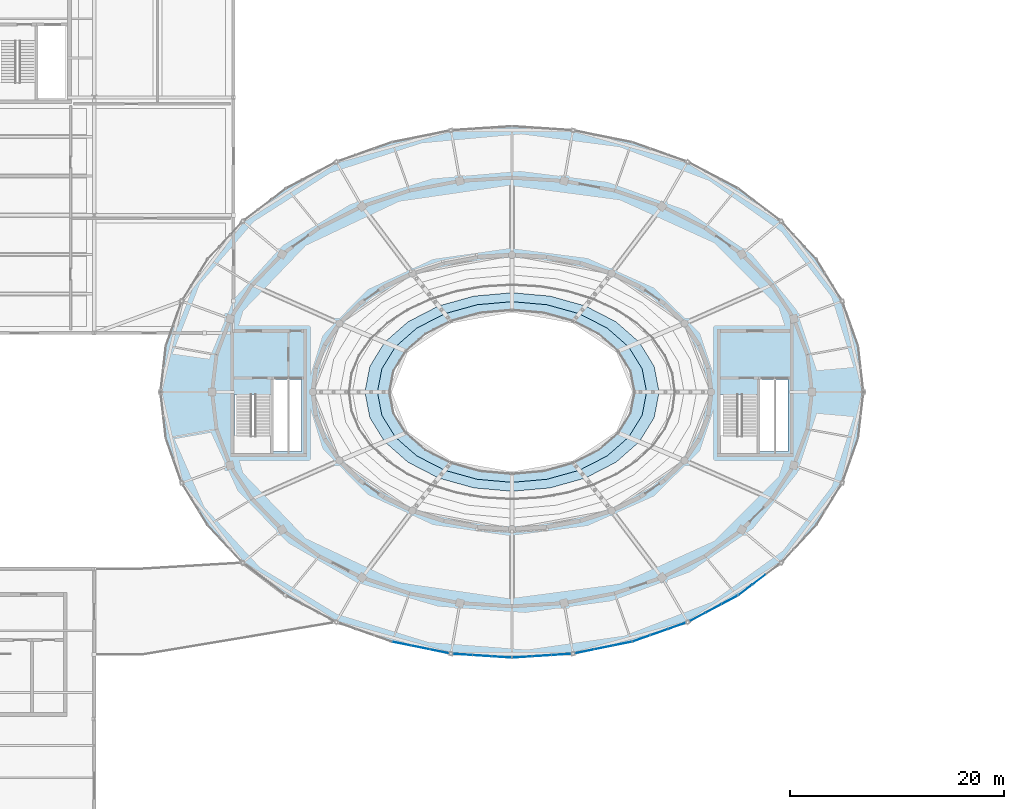
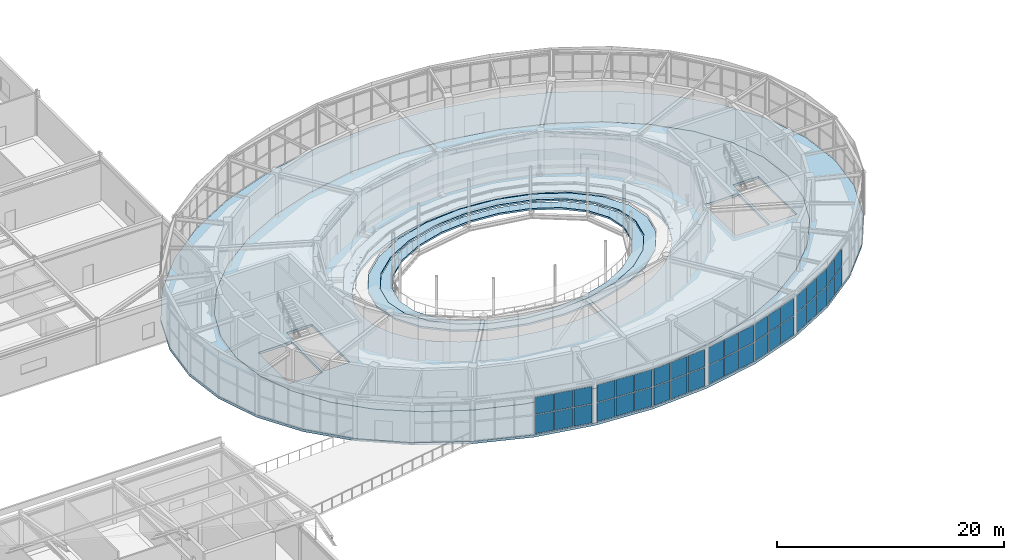
# One storey, part 80 of 108: 40 plates, 4 slabs, 7 elements without a shape of their own.
"""IFC4 building model written with IfcOpenShell, lengths in metres."""

import ifcopenshell
import ifcopenshell.guid

model = None  # the IFC model being written
_history = None  # IfcOwnerHistory: only IFC2X3 demands one
_inside = {}  # id of a spatial element -> (the spatial element, [elements in it])
_under = {}  # id of a project, library or spatial element -> (it, [spatial elements below it])
_declared = {}  # id of a project -> (the project, [libraries it declares])
_typed = {}  # id of a type object -> (the type object, [elements of that type])
_made_of = {}  # id of a material, layer set ... -> (it, [elements and type objects made of it])


def new_model(schema):
    """Start an empty IFC model of exactly this schema.

    Asked for "IFC4X3", IfcOpenShell would pick the latest addendum, in which some entities
    have other attributes; the version numbers below select the first issue.
    IFC2X3 requires an IfcOwnerHistory on every rooted entity: one is made here for all.
    """
    global model, _history
    if schema == "IFC4X3":
        model = ifcopenshell.file(schema_version=(4, 3, 0, 0))
    else:
        model = ifcopenshell.file(schema=schema)
    _inside.clear()
    _under.clear()
    _declared.clear()
    _typed.clear()
    _made_of.clear()
    _history = None
    if model.schema == "IFC2X3":
        org = make("IfcOrganization", Name="unknown")
        user = make(
            "IfcPersonAndOrganization",
            ThePerson=make("IfcPerson", FamilyName="unknown"),
            TheOrganization=org,
        )
        app = make(
            "IfcApplication",
            ApplicationDeveloper=org,
            Version="unknown",
            ApplicationFullName="unknown",
            ApplicationIdentifier="unknown",
        )
        _history = make(
            "IfcOwnerHistory",
            OwningUser=user,
            OwningApplication=app,
            ChangeAction="ADDED",
            CreationDate=0,
        )
    return model


def make(cls, **values):
    """One entity of the class cls with the attributes given. An attribute that is None is left unset."""
    return model.create_entity(
        cls, **{name: value for name, value in values.items() if value is not None}
    )


def rooted(cls, **values):
    """An entity with a GlobalId (a new one), such as an element, a storey or a relation."""
    return make(cls, GlobalId=ifcopenshell.guid.new(), OwnerHistory=_history, **values)


def si_unit(unit_type, name, prefix=None):
    """IfcSIUnit, for example si_unit("LENGTHUNIT", "METRE", prefix="MILLI")."""
    return make("IfcSIUnit", UnitType=unit_type, Prefix=prefix, Name=name)


def assignment(units):
    """IfcUnitAssignment: the units of a project."""
    return None if units is None else make("IfcUnitAssignment", Units=units)


def point(xyz):
    """IfcCartesianPoint."""
    return None if xyz is None else make("IfcCartesianPoint", Coordinates=xyz)


def direction(xyz):
    """IfcDirection."""
    return None if xyz is None else make("IfcDirection", DirectionRatios=xyz)


def frame(location, z_axis=None, x_axis=None):
    """IfcAxis2Placement3D, a coordinate frame: its origin and axes. An axis left out is left unset."""
    return make(
        "IfcAxis2Placement3D",
        Location=point(location),
        Axis=direction(z_axis),
        RefDirection=direction(x_axis),
    )


def frame_2d(location, x_axis=None):
    """IfcAxis2Placement2D, a coordinate frame in the plane: its origin and x axis."""
    return make(
        "IfcAxis2Placement2D", Location=point(location), RefDirection=direction(x_axis)
    )


def origin():
    """The frame at (0, 0, 0) with its axes left unset."""
    return frame((0.0, 0.0, 0.0))


def origin_2d():
    """The frame at (0, 0) in the plane with its x axis left unset."""
    return frame_2d((0.0, 0.0))


def place(relative_to, where):
    """IfcLocalPlacement: puts the frame where relative to a parent placement (None: the world)."""
    return make(
        "IfcLocalPlacement", PlacementRelTo=relative_to, RelativePlacement=where
    )


def context(
    kind, dimensions, precision=None, world=None, true_north=None, identifier=None
):
    """IfcGeometricRepresentationContext, for example the 3D "Model" context."""
    return make(
        "IfcGeometricRepresentationContext",
        ContextIdentifier=identifier,
        ContextType=kind,
        CoordinateSpaceDimension=dimensions,
        Precision=precision,
        WorldCoordinateSystem=world,
        TrueNorth=true_north,
    )


def subcontext(parent, identifier, kind, view, scale=None):
    """IfcGeometricRepresentationSubContext, for example "Body" below "Model"."""
    return make(
        "IfcGeometricRepresentationSubContext",
        ContextIdentifier=identifier,
        ContextType=kind,
        ParentContext=parent,
        TargetScale=scale,
        TargetView=view,
    )


def project(units=None, contexts=None):
    """IfcProject with its units and contexts."""
    return rooted(
        "IfcProject",
        Name="project",
        RepresentationContexts=contexts,
        UnitsInContext=assignment(units),
    )


def spatial(cls, under=None, at=None, **own):
    """A site, building, storey or space (cls), placed at a placement, below another one or the project."""
    s = rooted(cls, ObjectPlacement=at, **own)
    if under is not None:
        _under.setdefault(under.id(), (under, []))[1].append(s)
    return s


def polyline(points):
    """IfcPolyline through the points."""
    return make("IfcPolyline", Points=[point(p) for p in points])


def profile(cls, at=None, kind="AREA", **sizes):
    """A parametric profile (cls). Its sizes go by their IFC names, for example OverallWidth=200.0."""
    return make(cls, ProfileType=kind, Position=at, **sizes)


def rectangle(**sizes):
    """IfcRectangleProfileDef."""
    return profile("IfcRectangleProfileDef", **sizes)


def outline(outer, holes=None, kind="AREA"):
    """IfcArbitraryClosedProfileDef: a profile drawn as a closed curve; with holes, ...WithVoids."""
    if holes is None:
        return make("IfcArbitraryClosedProfileDef", ProfileType=kind, OuterCurve=outer)
    return make(
        "IfcArbitraryProfileDefWithVoids",
        ProfileType=kind,
        OuterCurve=outer,
        InnerCurves=holes,
    )


def extrude(swept, where, along, depth):
    """IfcExtrudedAreaSolid: the profile swept, set in the frame where, extruded along a direction by depth."""
    return make(
        "IfcExtrudedAreaSolid",
        SweptArea=swept,
        Position=where,
        ExtrudedDirection=direction(along),
        Depth=depth,
    )


def shape(context_of_items, identifier, shape_type, items):
    """IfcShapeRepresentation: the items that make up one representation, for example the "Body"."""
    return make(
        "IfcShapeRepresentation",
        ContextOfItems=context_of_items,
        RepresentationIdentifier=identifier,
        RepresentationType=shape_type,
        Items=items,
    )


def material(Name=None, Category=None):
    """IfcMaterial."""
    return make("IfcMaterial", Name=Name, Category=Category)


def layer(
    of_material, thickness, ventilated=None, Name=None, Category=None, Priority=None
):
    """IfcMaterialLayer: one layer of a wall or slab, of a material (None: an air gap)."""
    return make(
        "IfcMaterialLayer",
        Material=of_material,
        LayerThickness=thickness,
        IsVentilated=ventilated,
        Name=Name,
        Category=Category,
        Priority=Priority,
    )


def layer_set(layers, Name=None):
    """IfcMaterialLayerSet."""
    return make("IfcMaterialLayerSet", MaterialLayers=layers, LayerSetName=Name)


def made_of(thing, what):
    """Note that an element or type object is made of a material, layer set ...; save() writes the relation."""
    if what is not None:
        _made_of.setdefault(what.id(), (what, []))[1].append(thing)
    return thing


def type_object(cls, material=None, **own):
    """A type object (cls), such as IfcWallType, which elements share."""
    return made_of(rooted(cls, **own), material)


def element(
    cls,
    number,
    at=None,
    inside=None,
    cuts=None,
    type_object=None,
    material=None,
    context=None,
    identifier="Body",
    shape_type=None,
    held_by="IfcProductDefinitionShape",
    body=None,
    shapes=None,
    **own,
):
    """One element of the class cls, such as IfcWall. Its Tag is "e" and its number.

    at: its placement. inside: the storey or other place that contains it. cuts: it is an
    opening in that element (IfcRelVoidsElement). A single representation is given by context,
    identifier, shape_type and body (its items); several are given by shapes. held_by: the class
    of the entity that holds the representations. save() writes the other relations.
    """
    e = rooted(cls, Tag="e%d" % number, ObjectPlacement=at, **own)
    if body is not None:
        shapes = [shape(context, identifier, shape_type, body)]
    if shapes is not None:
        e.Representation = make(held_by, Representations=shapes)
    if inside is not None:
        _inside.setdefault(inside.id(), (inside, []))[1].append(e)
    if cuts is not None:
        rooted(
            "IfcRelVoidsElement", RelatingBuildingElement=cuts, RelatedOpeningElement=e
        )
    if type_object is not None:
        _typed.setdefault(type_object.id(), (type_object, []))[1].append(e)
    return made_of(e, material)


def aggregate(whole, parts):
    """IfcRelAggregates: a whole, such as a stair, and the parts it consists of."""
    return rooted("IfcRelAggregates", RelatingObject=whole, RelatedObjects=parts)


def save(model, path):
    """Write the relations noted so far, then the file.

    IfcRelAggregates (storeys below a building ...), IfcRelContainedInSpatialStructure (elements
    in a storey), IfcRelDefinesByType, IfcRelAssociatesMaterial and IfcRelDeclares: one each for
    every whole, place, type object, material and project.
    """
    for whole, parts in _under.values():
        aggregate(whole, parts)
    for where, things in _inside.values():
        rooted(
            "IfcRelContainedInSpatialStructure",
            RelatedElements=things,
            RelatingStructure=where,
        )
    for kind, things in _typed.values():
        rooted("IfcRelDefinesByType", RelatedObjects=things, RelatingType=kind)
    for what, things in _made_of.values():
        rooted("IfcRelAssociatesMaterial", RelatedObjects=things, RelatingMaterial=what)
    for by, libraries in _declared.values():
        rooted("IfcRelDeclares", RelatingContext=by, RelatedDefinitions=libraries)
    model.write(path)


model = new_model("IFC4")

# Units and contexts
model_context = context("Model", 3, precision=1e-05, world=origin(), true_north=direction((0.0, 1.0)))
body_context = subcontext(model_context, "Body", "Model", "MODEL_VIEW")
ifc_project = project(units=[si_unit("LENGTHUNIT", "METRE"), si_unit("AREAUNIT", "SQUARE_METRE"), si_unit("VOLUMEUNIT", "CUBIC_METRE"), si_unit("PLANEANGLEUNIT", "RADIAN"), si_unit("MASSUNIT", "GRAM", prefix="KILO")], contexts=[model_context])

# Site, building, storey
site_placement = place(None, origin())
site = spatial("IfcSite", under=ifc_project, at=site_placement, CompositionType="ELEMENT")
building_placement = place(site_placement, origin())
building = spatial("IfcBuilding", under=site, at=building_placement, Name="Tarnveldt Headland Concert Hall", CompositionType="ELEMENT")
storey_placement = place(building_placement, frame((0.0, 0.0, 9.60009765625)))
storey = spatial("IfcBuildingStorey", under=building, at=storey_placement, Name="L02", CompositionType="ELEMENT", Elevation=9.60009765625)

# Curtain wall, plates
ifc_material_1 = material(Name="Marine-anodised aluminium EN AW-6063-T6", Category="aluminium")
curtain_wall_type = type_object("IfcCurtainWallType", Name="CW-F3", PredefinedType="NOTDEFINED", material=ifc_material_1)
curtain_wall_1_placement = place(storey_placement, origin())
curtain_wall_1 = element("IfcCurtainWall", 1, at=curtain_wall_1_placement, inside=storey, type_object=curtain_wall_type, Name="Curtain wall CW-L02-084", PredefinedType="NOTDEFINED")
ifc_material_2 = material(Name="Acoustic laminated low-iron double glazing", Category="glass")
ifc_layer_1 = layer(ifc_material_2, 0.028076171875, Name="Acoustic laminated low-iron double glazing", Category="glass")
ifc_layer_set_1 = layer_set([ifc_layer_1], Name="Acoustic laminated low-iron double glazing")
plate_type = type_object("IfcPlateType", Name="PN-F3", PredefinedType="CURTAIN_PANEL", material=ifc_layer_set_1)
plate_1_placement = place(storey_placement, frame((73.201904296875, 31.00927734375, 0.09228515625), z_axis=(0.0, 0.0, 1.0), x_axis=(0.98008791737, -0.198564030542, 0.0)))
plate_1 = element("IfcPlate", 2, at=plate_1_placement, type_object=plate_type, Name="Glazed panel CW-L02-084-1-1", PredefinedType="CURTAIN_PANEL", context=body_context, shape_type="SweptSolid", body=[
    extrude(rectangle(XDim=1.688720703125, YDim=0.028076171875, at=origin_2d()), origin(), (0.0, 0.0, 1.0), 2.001220703125),
])
plate_2_placement = place(storey_placement, frame((73.201904296875, 31.00927734375, 2.178466796875), z_axis=(0.0, 0.0, 1.0), x_axis=(0.98008791737, -0.198564030542, 0.0)))
plate_2 = element("IfcPlate", 3, at=plate_2_placement, type_object=plate_type, Name="Glazed panel CW-L02-084-1-2", PredefinedType="CURTAIN_PANEL", context=body_context, shape_type="SweptSolid", body=[
    extrude(rectangle(XDim=1.688720703125, YDim=0.028076171875, at=origin_2d()), origin(), (0.0, 0.0, 1.0), 1.8369140625),
])
plate_3_placement = place(storey_placement, frame((74.963623046875, 30.65234375, 0.09228515625), z_axis=(0.0, 0.0, 1.0), x_axis=(0.98008791737, -0.198564030542, 0.0)))
plate_3 = element("IfcPlate", 4, at=plate_3_placement, type_object=plate_type, Name="Glazed panel CW-L02-084-2-1", PredefinedType="CURTAIN_PANEL", context=body_context, shape_type="SweptSolid", body=[
    extrude(rectangle(XDim=1.688720703125, YDim=0.028076171875, at=origin_2d()), origin(), (0.0, 0.0, 1.0), 2.001220703125),
])
plate_4_placement = place(storey_placement, frame((74.963623046875, 30.65234375, 2.178466796875), z_axis=(0.0, 0.0, 1.0), x_axis=(0.98008791737, -0.198564030542, 0.0)))
plate_4 = element("IfcPlate", 5, at=plate_4_placement, type_object=plate_type, Name="Glazed panel CW-L02-084-2-2", PredefinedType="CURTAIN_PANEL", context=body_context, shape_type="SweptSolid", body=[
    extrude(rectangle(XDim=1.688720703125, YDim=0.028076171875, at=origin_2d()), origin(), (0.0, 0.0, 1.0), 1.8369140625),
])
plate_5_placement = place(storey_placement, frame((76.7255859375, 30.29541015625, 0.09228515625), z_axis=(0.0, 0.0, 1.0), x_axis=(0.98008791737, -0.198564030542, 0.0)))
plate_5 = element("IfcPlate", 6, at=plate_5_placement, type_object=plate_type, Name="Glazed panel CW-L02-084-3-1", PredefinedType="CURTAIN_PANEL", context=body_context, shape_type="SweptSolid", body=[
    extrude(rectangle(XDim=1.688720703125, YDim=0.028076171875, at=origin_2d()), origin(), (0.0, 0.0, 1.0), 2.001220703125),
])
plate_6_placement = place(storey_placement, frame((76.7255859375, 30.29541015625, 2.178466796875), z_axis=(0.0, 0.0, 1.0), x_axis=(0.98008791737, -0.198564030542, 0.0)))
plate_6 = element("IfcPlate", 7, at=plate_6_placement, type_object=plate_type, Name="Glazed panel CW-L02-084-3-2", PredefinedType="CURTAIN_PANEL", context=body_context, shape_type="SweptSolid", body=[
    extrude(rectangle(XDim=1.688720703125, YDim=0.028076171875, at=origin_2d()), origin(), (0.0, 0.0, 1.0), 1.8369140625),
])
aggregate(curtain_wall_1, [plate_1, plate_2, plate_3, plate_4, plate_5, plate_6])

curtain_wall_2_placement = place(storey_placement, origin())
curtain_wall_2 = element("IfcCurtainWall", 8, at=curtain_wall_2_placement, inside=storey, type_object=curtain_wall_type, Name="Curtain wall CW-L02-085", PredefinedType="NOTDEFINED")
plate_7_placement = place(storey_placement, frame((78.914794921875, 30.00341796875, 0.09228515625), z_axis=(0.0, 0.0, 1.0), x_axis=(0.997817632274, -0.066030089531, 0.0)))
plate_7 = element("IfcPlate", 9, at=plate_7_placement, type_object=plate_type, Name="Glazed panel CW-L02-085-1-1", PredefinedType="CURTAIN_PANEL", context=body_context, shape_type="SweptSolid", body=[
    extrude(rectangle(XDim=1.713134765625, YDim=0.028076171875, at=origin_2d()), origin(), (0.0, 0.0, 1.0), 2.001220703125),
])
plate_8_placement = place(storey_placement, frame((78.914794921875, 30.00341796875, 2.178466796875), z_axis=(0.0, 0.0, 1.0), x_axis=(0.997817632274, -0.066030089531, 0.0)))
plate_8 = element("IfcPlate", 10, at=plate_8_placement, type_object=plate_type, Name="Glazed panel CW-L02-085-1-2", PredefinedType="CURTAIN_PANEL", context=body_context, shape_type="SweptSolid", body=[
    extrude(rectangle(XDim=1.713134765625, YDim=0.028076171875, at=origin_2d()), origin(), (0.0, 0.0, 1.0), 1.8369140625),
])
plate_9_placement = place(storey_placement, frame((80.73291015625, 29.883056640625, 0.09228515625), z_axis=(0.0, 0.0, 1.0), x_axis=(0.997817632274, -0.066030089531, 0.0)))
plate_9 = element("IfcPlate", 11, at=plate_9_placement, type_object=plate_type, Name="Glazed panel CW-L02-085-2-1", PredefinedType="CURTAIN_PANEL", context=body_context, shape_type="SweptSolid", body=[
    extrude(rectangle(XDim=1.713134765625, YDim=0.028076171875, at=origin_2d()), origin(), (0.0, 0.0, 1.0), 2.001220703125),
])
plate_10_placement = place(storey_placement, frame((80.73291015625, 29.883056640625, 2.178466796875), z_axis=(0.0, 0.0, 1.0), x_axis=(0.997817632274, -0.066030089531, 0.0)))
plate_10 = element("IfcPlate", 12, at=plate_10_placement, type_object=plate_type, Name="Glazed panel CW-L02-085-2-2", PredefinedType="CURTAIN_PANEL", context=body_context, shape_type="SweptSolid", body=[
    extrude(rectangle(XDim=1.713134765625, YDim=0.028076171875, at=origin_2d()), origin(), (0.0, 0.0, 1.0), 1.8369140625),
])
plate_11_placement = place(storey_placement, frame((82.551025390625, 29.7626953125, 0.09228515625), z_axis=(0.0, 0.0, 1.0), x_axis=(0.997817632274, -0.066030089531, 0.0)))
plate_11 = element("IfcPlate", 13, at=plate_11_placement, type_object=plate_type, Name="Glazed panel CW-L02-085-3-1", PredefinedType="CURTAIN_PANEL", context=body_context, shape_type="SweptSolid", body=[
    extrude(rectangle(XDim=1.713134765625, YDim=0.028076171875, at=origin_2d()), origin(), (0.0, 0.0, 1.0), 2.001220703125),
])
plate_12_placement = place(storey_placement, frame((82.551025390625, 29.7626953125, 2.178466796875), z_axis=(0.0, 0.0, 1.0), x_axis=(0.997817632274, -0.066030089531, 0.0)))
plate_12 = element("IfcPlate", 14, at=plate_12_placement, type_object=plate_type, Name="Glazed panel CW-L02-085-3-2", PredefinedType="CURTAIN_PANEL", context=body_context, shape_type="SweptSolid", body=[
    extrude(rectangle(XDim=1.713134765625, YDim=0.028076171875, at=origin_2d()), origin(), (0.0, 0.0, 1.0), 1.8369140625),
])
aggregate(curtain_wall_2, [plate_7, plate_8, plate_9, plate_10, plate_11, plate_12])

curtain_wall_3_placement = place(storey_placement, origin())
curtain_wall_3 = element("IfcCurtainWall", 15, at=curtain_wall_3_placement, inside=storey, type_object=curtain_wall_type, Name="Curtain wall CW-L02-086", PredefinedType="NOTDEFINED")
plate_13_placement = place(storey_placement, frame((84.448974609375, 29.7626953125, 0.09228515625), z_axis=(0.0, 0.0, 1.0), x_axis=(0.997817632274, 0.066030089531, 0.0)))
plate_13 = element("IfcPlate", 16, at=plate_13_placement, type_object=plate_type, Name="Glazed panel CW-L02-086-1-1", PredefinedType="CURTAIN_PANEL", context=body_context, shape_type="SweptSolid", body=[
    extrude(rectangle(XDim=1.713134765625, YDim=0.028076171875, at=origin_2d()), origin(), (0.0, 0.0, 1.0), 2.001220703125),
])
plate_14_placement = place(storey_placement, frame((84.448974609375, 29.7626953125, 2.178466796875), z_axis=(0.0, 0.0, 1.0), x_axis=(0.997817632274, 0.066030089531, 0.0)))
plate_14 = element("IfcPlate", 17, at=plate_14_placement, type_object=plate_type, Name="Glazed panel CW-L02-086-1-2", PredefinedType="CURTAIN_PANEL", context=body_context, shape_type="SweptSolid", body=[
    extrude(rectangle(XDim=1.713134765625, YDim=0.028076171875, at=origin_2d()), origin(), (0.0, 0.0, 1.0), 1.8369140625),
])
plate_15_placement = place(storey_placement, frame((86.26708984375, 29.883056640625, 0.09228515625), z_axis=(0.0, 0.0, 1.0), x_axis=(0.997817632274, 0.066030089531, 0.0)))
plate_15 = element("IfcPlate", 18, at=plate_15_placement, type_object=plate_type, Name="Glazed panel CW-L02-086-2-1", PredefinedType="CURTAIN_PANEL", context=body_context, shape_type="SweptSolid", body=[
    extrude(rectangle(XDim=1.713134765625, YDim=0.028076171875, at=origin_2d()), origin(), (0.0, 0.0, 1.0), 2.001220703125),
])
plate_16_placement = place(storey_placement, frame((86.26708984375, 29.883056640625, 2.178466796875), z_axis=(0.0, 0.0, 1.0), x_axis=(0.997817632274, 0.066030089531, 0.0)))
plate_16 = element("IfcPlate", 19, at=plate_16_placement, type_object=plate_type, Name="Glazed panel CW-L02-086-2-2", PredefinedType="CURTAIN_PANEL", context=body_context, shape_type="SweptSolid", body=[
    extrude(rectangle(XDim=1.713134765625, YDim=0.028076171875, at=origin_2d()), origin(), (0.0, 0.0, 1.0), 1.8369140625),
])
plate_17_placement = place(storey_placement, frame((88.085205078125, 30.00341796875, 0.09228515625), z_axis=(0.0, 0.0, 1.0), x_axis=(0.997817632274, 0.066030089531, 0.0)))
plate_17 = element("IfcPlate", 20, at=plate_17_placement, type_object=plate_type, Name="Glazed panel CW-L02-086-3-1", PredefinedType="CURTAIN_PANEL", context=body_context, shape_type="SweptSolid", body=[
    extrude(rectangle(XDim=1.713134765625, YDim=0.028076171875, at=origin_2d()), origin(), (0.0, 0.0, 1.0), 2.001220703125),
])
plate_18_placement = place(storey_placement, frame((88.085205078125, 30.00341796875, 2.178466796875), z_axis=(0.0, 0.0, 1.0), x_axis=(0.997817632274, 0.066030089531, 0.0)))
plate_18 = element("IfcPlate", 21, at=plate_18_placement, type_object=plate_type, Name="Glazed panel CW-L02-086-3-2", PredefinedType="CURTAIN_PANEL", context=body_context, shape_type="SweptSolid", body=[
    extrude(rectangle(XDim=1.713134765625, YDim=0.028076171875, at=origin_2d()), origin(), (0.0, 0.0, 1.0), 1.8369140625),
])
aggregate(curtain_wall_3, [plate_13, plate_14, plate_15, plate_16, plate_17, plate_18])

curtain_wall_4_placement = place(storey_placement, origin())
curtain_wall_4 = element("IfcCurtainWall", 22, at=curtain_wall_4_placement, inside=storey, type_object=curtain_wall_type, Name="Curtain wall CW-L02-087", PredefinedType="NOTDEFINED")
plate_19_placement = place(storey_placement, frame((90.2744140625, 30.29541015625, 0.09228515625), z_axis=(0.0, 0.0, 1.0), x_axis=(0.98008791737, 0.198564030542, 0.0)))
plate_19 = element("IfcPlate", 23, at=plate_19_placement, type_object=plate_type, Name="Glazed panel CW-L02-087-1-1", PredefinedType="CURTAIN_PANEL", context=body_context, shape_type="SweptSolid", body=[
    extrude(rectangle(XDim=1.688720703125, YDim=0.028076171875, at=origin_2d()), origin(), (0.0, 0.0, 1.0), 2.001220703125),
])
plate_20_placement = place(storey_placement, frame((90.2744140625, 30.29541015625, 2.178466796875), z_axis=(0.0, 0.0, 1.0), x_axis=(0.98008791737, 0.198564030542, 0.0)))
plate_20 = element("IfcPlate", 24, at=plate_20_placement, type_object=plate_type, Name="Glazed panel CW-L02-087-1-2", PredefinedType="CURTAIN_PANEL", context=body_context, shape_type="SweptSolid", body=[
    extrude(rectangle(XDim=1.688720703125, YDim=0.028076171875, at=origin_2d()), origin(), (0.0, 0.0, 1.0), 1.8369140625),
])
plate_21_placement = place(storey_placement, frame((92.036376953125, 30.65234375, 0.09228515625), z_axis=(0.0, 0.0, 1.0), x_axis=(0.98008791737, 0.198564030542, 0.0)))
plate_21 = element("IfcPlate", 25, at=plate_21_placement, type_object=plate_type, Name="Glazed panel CW-L02-087-2-1", PredefinedType="CURTAIN_PANEL", context=body_context, shape_type="SweptSolid", body=[
    extrude(rectangle(XDim=1.688720703125, YDim=0.028076171875, at=origin_2d()), origin(), (0.0, 0.0, 1.0), 2.001220703125),
])
plate_22_placement = place(storey_placement, frame((92.036376953125, 30.65234375, 2.178466796875), z_axis=(0.0, 0.0, 1.0), x_axis=(0.98008791737, 0.198564030542, 0.0)))
plate_22 = element("IfcPlate", 26, at=plate_22_placement, type_object=plate_type, Name="Glazed panel CW-L02-087-2-2", PredefinedType="CURTAIN_PANEL", context=body_context, shape_type="SweptSolid", body=[
    extrude(rectangle(XDim=1.688720703125, YDim=0.028076171875, at=origin_2d()), origin(), (0.0, 0.0, 1.0), 1.8369140625),
])
plate_23_placement = place(storey_placement, frame((93.798095703125, 31.00927734375, 0.09228515625), z_axis=(0.0, 0.0, 1.0), x_axis=(0.98008791737, 0.198564030542, 0.0)))
plate_23 = element("IfcPlate", 27, at=plate_23_placement, type_object=plate_type, Name="Glazed panel CW-L02-087-3-1", PredefinedType="CURTAIN_PANEL", context=body_context, shape_type="SweptSolid", body=[
    extrude(rectangle(XDim=1.688720703125, YDim=0.028076171875, at=origin_2d()), origin(), (0.0, 0.0, 1.0), 2.001220703125),
])
plate_24_placement = place(storey_placement, frame((93.798095703125, 31.00927734375, 2.178466796875), z_axis=(0.0, 0.0, 1.0), x_axis=(0.98008791737, 0.198564030542, 0.0)))
plate_24 = element("IfcPlate", 28, at=plate_24_placement, type_object=plate_type, Name="Glazed panel CW-L02-087-3-2", PredefinedType="CURTAIN_PANEL", context=body_context, shape_type="SweptSolid", body=[
    extrude(rectangle(XDim=1.688720703125, YDim=0.028076171875, at=origin_2d()), origin(), (0.0, 0.0, 1.0), 1.8369140625),
])
aggregate(curtain_wall_4, [plate_19, plate_20, plate_21, plate_22, plate_23, plate_24])

curtain_wall_5_placement = place(storey_placement, origin())
curtain_wall_5 = element("IfcCurtainWall", 29, at=curtain_wall_5_placement, inside=storey, type_object=curtain_wall_type, Name="Curtain wall CW-L02-088", PredefinedType="NOTDEFINED")
plate_25_placement = place(storey_placement, frame((95.58154296875, 31.5, 0.09228515625), z_axis=(0.0, 0.0, 1.0), x_axis=(0.9430950477, 0.33252327889, 0.0)))
plate_25 = element("IfcPlate", 30, at=plate_25_placement, type_object=plate_type, Name="Glazed panel CW-L02-088-1-1", PredefinedType="CURTAIN_PANEL", context=body_context, shape_type="SweptSolid", body=[
    extrude(rectangle(XDim=1.641845703125, YDim=0.028076171875, at=origin_2d()), origin(), (0.0, 0.0, 1.0), 2.001220703125),
])
plate_26_placement = place(storey_placement, frame((95.58154296875, 31.5, 2.178466796875), z_axis=(0.0, 0.0, 1.0), x_axis=(0.9430950477, 0.33252327889, 0.0)))
plate_26 = element("IfcPlate", 31, at=plate_26_placement, type_object=plate_type, Name="Glazed panel CW-L02-088-1-2", PredefinedType="CURTAIN_PANEL", context=body_context, shape_type="SweptSolid", body=[
    extrude(rectangle(XDim=1.641845703125, YDim=0.028076171875, at=origin_2d()), origin(), (0.0, 0.0, 1.0), 1.8369140625),
])
plate_27_placement = place(storey_placement, frame((97.23291015625, 32.08203125, 0.09228515625), z_axis=(0.0, 0.0, 1.0), x_axis=(0.9430950477, 0.33252327889, 0.0)))
plate_27 = element("IfcPlate", 32, at=plate_27_placement, type_object=plate_type, Name="Glazed panel CW-L02-088-2-1", PredefinedType="CURTAIN_PANEL", context=body_context, shape_type="SweptSolid", body=[
    extrude(rectangle(XDim=1.641845703125, YDim=0.028076171875, at=origin_2d()), origin(), (0.0, 0.0, 1.0), 2.001220703125),
])
plate_28_placement = place(storey_placement, frame((97.23291015625, 32.08203125, 2.178466796875), z_axis=(0.0, 0.0, 1.0), x_axis=(0.9430950477, 0.33252327889, 0.0)))
plate_28 = element("IfcPlate", 33, at=plate_28_placement, type_object=plate_type, Name="Glazed panel CW-L02-088-2-2", PredefinedType="CURTAIN_PANEL", context=body_context, shape_type="SweptSolid", body=[
    extrude(rectangle(XDim=1.641845703125, YDim=0.028076171875, at=origin_2d()), origin(), (0.0, 0.0, 1.0), 1.8369140625),
])
plate_29_placement = place(storey_placement, frame((98.8837890625, 32.664306640625, 0.09228515625), z_axis=(0.0, 0.0, 1.0), x_axis=(0.9430950477, 0.33252327889, 0.0)))
plate_29 = element("IfcPlate", 34, at=plate_29_placement, type_object=plate_type, Name="Glazed panel CW-L02-088-3-1", PredefinedType="CURTAIN_PANEL", context=body_context, shape_type="SweptSolid", body=[
    extrude(rectangle(XDim=1.641845703125, YDim=0.028076171875, at=origin_2d()), origin(), (0.0, 0.0, 1.0), 2.001220703125),
])
plate_30_placement = place(storey_placement, frame((98.8837890625, 32.664306640625, 2.178466796875), z_axis=(0.0, 0.0, 1.0), x_axis=(0.9430950477, 0.33252327889, 0.0)))
plate_30 = element("IfcPlate", 35, at=plate_30_placement, type_object=plate_type, Name="Glazed panel CW-L02-088-3-2", PredefinedType="CURTAIN_PANEL", context=body_context, shape_type="SweptSolid", body=[
    extrude(rectangle(XDim=1.641845703125, YDim=0.028076171875, at=origin_2d()), origin(), (0.0, 0.0, 1.0), 1.8369140625),
])
aggregate(curtain_wall_5, [plate_25, plate_26, plate_27, plate_28, plate_29, plate_30])

curtain_wall_6_placement = place(storey_placement, origin())
curtain_wall_6 = element("IfcCurtainWall", 36, at=curtain_wall_6_placement, inside=storey, type_object=curtain_wall_type, Name="Curtain wall CW-L02-089", PredefinedType="NOTDEFINED")
plate_31_placement = place(storey_placement, frame((100.823486328125, 33.511474609375, 0.09228515625), z_axis=(0.0, 0.0, 1.0), x_axis=(0.883781963382, 0.467898964735, 0.0)))
plate_31 = element("IfcPlate", 37, at=plate_31_placement, type_object=plate_type, Name="Glazed panel CW-L02-089-1-1", PredefinedType="CURTAIN_PANEL", context=body_context, shape_type="SweptSolid", body=[
    extrude(rectangle(XDim=1.576904296875, YDim=0.028076171875, at=origin_2d()), origin(), (0.0, 0.0, 1.0), 2.001220703125),
])
plate_32_placement = place(storey_placement, frame((100.823486328125, 33.511474609375, 2.178466796875), z_axis=(0.0, 0.0, 1.0), x_axis=(0.883781963382, 0.467898964735, 0.0)))
plate_32 = element("IfcPlate", 38, at=plate_32_placement, type_object=plate_type, Name="Glazed panel CW-L02-089-1-2", PredefinedType="CURTAIN_PANEL", context=body_context, shape_type="SweptSolid", body=[
    extrude(rectangle(XDim=1.576904296875, YDim=0.028076171875, at=origin_2d()), origin(), (0.0, 0.0, 1.0), 1.8369140625),
])
plate_33_placement = place(storey_placement, frame((102.313232421875, 34.30029296875, 0.09228515625), z_axis=(0.0, 0.0, 1.0), x_axis=(0.883781963382, 0.467898964735, 0.0)))
plate_33 = element("IfcPlate", 39, at=plate_33_placement, type_object=plate_type, Name="Glazed panel CW-L02-089-2-1", PredefinedType="CURTAIN_PANEL", context=body_context, shape_type="SweptSolid", body=[
    extrude(rectangle(XDim=1.576904296875, YDim=0.028076171875, at=origin_2d()), origin(), (0.0, 0.0, 1.0), 2.001220703125),
])
plate_34_placement = place(storey_placement, frame((102.313232421875, 34.30029296875, 2.178466796875), z_axis=(0.0, 0.0, 1.0), x_axis=(0.883781963382, 0.467898964735, 0.0)))
plate_34 = element("IfcPlate", 40, at=plate_34_placement, type_object=plate_type, Name="Glazed panel CW-L02-089-2-2", PredefinedType="CURTAIN_PANEL", context=body_context, shape_type="SweptSolid", body=[
    extrude(rectangle(XDim=1.576904296875, YDim=0.028076171875, at=origin_2d()), origin(), (0.0, 0.0, 1.0), 1.8369140625),
])
plate_35_placement = place(storey_placement, frame((103.802978515625, 35.089111328125, 0.09228515625), z_axis=(0.0, 0.0, 1.0), x_axis=(0.883781963382, 0.467898964735, 0.0)))
plate_35 = element("IfcPlate", 41, at=plate_35_placement, type_object=plate_type, Name="Glazed panel CW-L02-089-3-1", PredefinedType="CURTAIN_PANEL", context=body_context, shape_type="SweptSolid", body=[
    extrude(rectangle(XDim=1.576904296875, YDim=0.028076171875, at=origin_2d()), origin(), (0.0, 0.0, 1.0), 2.001220703125),
])
plate_36_placement = place(storey_placement, frame((103.802978515625, 35.089111328125, 2.178466796875), z_axis=(0.0, 0.0, 1.0), x_axis=(0.883781963382, 0.467898964735, 0.0)))
plate_36 = element("IfcPlate", 42, at=plate_36_placement, type_object=plate_type, Name="Glazed panel CW-L02-089-3-2", PredefinedType="CURTAIN_PANEL", context=body_context, shape_type="SweptSolid", body=[
    extrude(rectangle(XDim=1.576904296875, YDim=0.028076171875, at=origin_2d()), origin(), (0.0, 0.0, 1.0), 1.8369140625),
])
aggregate(curtain_wall_6, [plate_31, plate_32, plate_33, plate_34, plate_35, plate_36])

curtain_wall_7_placement = place(storey_placement, origin())
curtain_wall_7 = element("IfcCurtainWall", 43, at=curtain_wall_7_placement, inside=storey, type_object=curtain_wall_type, Name="Curtain wall CW-L02-090", PredefinedType="NOTDEFINED")
plate_37_placement = place(storey_placement, frame((105.257080078125, 36.011474609375, 0.09228515625), z_axis=(0.0, 0.0, 1.0), x_axis=(0.797657618631, 0.603110539984, 0.0)))
plate_37 = element("IfcPlate", 44, at=plate_37_placement, type_object=plate_type, Name="Glazed panel CW-L02-090-1-1", PredefinedType="CURTAIN_PANEL", context=body_context, shape_type="SweptSolid", body=[
    extrude(rectangle(XDim=1.499755859375, YDim=0.028076171875, at=origin_2d()), origin(), (0.0, 0.0, 1.0), 2.001220703125),
])
plate_38_placement = place(storey_placement, frame((105.257080078125, 36.011474609375, 2.178466796875), z_axis=(0.0, 0.0, 1.0), x_axis=(0.797657618631, 0.603110539984, 0.0)))
plate_38 = element("IfcPlate", 45, at=plate_38_placement, type_object=plate_type, Name="Glazed panel CW-L02-090-1-2", PredefinedType="CURTAIN_PANEL", context=body_context, shape_type="SweptSolid", body=[
    extrude(rectangle(XDim=1.499755859375, YDim=0.028076171875, at=origin_2d()), origin(), (0.0, 0.0, 1.0), 1.8369140625),
])
plate_39_placement = place(storey_placement, frame((106.540283203125, 36.981689453125, 0.09228515625), z_axis=(0.0, 0.0, 1.0), x_axis=(0.797657618631, 0.603110539984, 0.0)))
plate_39 = element("IfcPlate", 46, at=plate_39_placement, type_object=plate_type, Name="Glazed panel CW-L02-090-2-1", PredefinedType="CURTAIN_PANEL", context=body_context, shape_type="SweptSolid", body=[
    extrude(rectangle(XDim=1.499755859375, YDim=0.028076171875, at=origin_2d()), origin(), (0.0, 0.0, 1.0), 2.001220703125),
])
plate_40_placement = place(storey_placement, frame((106.540283203125, 36.981689453125, 2.178466796875), z_axis=(0.0, 0.0, 1.0), x_axis=(0.797657618631, 0.603110539984, 0.0)))
plate_40 = element("IfcPlate", 47, at=plate_40_placement, type_object=plate_type, Name="Glazed panel CW-L02-090-2-2", PredefinedType="CURTAIN_PANEL", context=body_context, shape_type="SweptSolid", body=[
    extrude(rectangle(XDim=1.499755859375, YDim=0.028076171875, at=origin_2d()), origin(), (0.0, 0.0, 1.0), 1.8369140625),
])
aggregate(curtain_wall_7, [plate_37, plate_38, plate_39, plate_40])

# Slabs
ifc_material_3 = material(Name="Concrete C40/50", Category="concrete")
ifc_layer_2 = layer(ifc_material_3, 0.260009765625, Name="Concrete C40/50", Category="concrete")
ifc_layer_set_2 = layer_set([ifc_layer_2], Name="Concrete C40/50")
slab_type_1 = type_object("IfcSlabType", Name="SL-FL260", PredefinedType="FLOOR", material=ifc_layer_set_2)
slab_1_placement = place(storey_placement, frame((0.0, 0.0, -0.260009765625)))
element("IfcSlab", 48, at=slab_1_placement, inside=storey, type_object=slab_type_1, Name="Elliptical foyer ring floor slab L02", PredefinedType="FLOOR", context=body_context, shape_type="SweptSolid", body=[
    extrude(outline(polyline([(115.8017578125, 50.193603515625), (116.300048828125, 54.5), (115.8017578125, 58.806396484375), (114.322021484375, 62.982177734375), (111.905517578125, 66.89990234375), (108.626220703125, 70.441162109375), (104.58349609375, 73.497802734375), (99.89990234375, 75.977294921875), (94.71826171875, 77.804443359375), (89.19580078125, 78.923095703125), (83.5, 79.300048828125), (77.80419921875, 78.923095703125), (72.28173828125, 77.804443359375), (67.10009765625, 75.977294921875), (62.41650390625, 73.497802734375), (58.373779296875, 70.441162109375), (55.094482421875, 66.89990234375), (52.677978515625, 62.982177734375), (51.1982421875, 58.806396484375), (50.699951171875, 54.5), (51.1982421875, 50.193603515625), (52.677978515625, 46.017822265625), (55.094482421875, 42.10009765625), (58.373779296875, 38.558837890625), (62.41650390625, 35.502197265625), (67.10009765625, 33.022705078125), (72.28173828125, 31.195556640625), (77.80419921875, 30.076904296875), (83.5, 29.699951171875), (89.19580078125, 30.076904296875), (94.71826171875, 31.195556640625), (99.89990234375, 33.022705078125), (104.58349609375, 35.502197265625), (108.626220703125, 38.558837890625), (111.905517578125, 42.10009765625), (114.322021484375, 46.017822265625), (115.8017578125, 50.193603515625)]), holes=[polyline([(111.07470703125, 57.972900390625), (111.5, 54.5), (111.07470703125, 51.027099609375), (109.811279296875, 47.65966796875), (107.748779296875, 44.5), (104.94921875, 41.644287109375), (101.498046875, 39.17919921875), (97.5, 37.179443359375), (93.07666015625, 35.7060546875), (88.362060546875, 34.8037109375), (83.5, 34.5), (78.637939453125, 34.8037109375), (73.92333984375, 35.7060546875), (69.5, 37.179443359375), (65.501953125, 39.17919921875), (62.05078125, 41.644287109375), (59.251220703125, 44.5), (57.188720703125, 47.65966796875), (55.92529296875, 51.027099609375), (55.5, 54.5), (55.92529296875, 57.972900390625), (57.188720703125, 61.34033203125), (59.251220703125, 64.5), (62.05078125, 67.355712890625), (65.501953125, 69.82080078125), (69.5, 71.820556640625), (73.92333984375, 73.2939453125), (78.637939453125, 74.1962890625), (83.5, 74.5), (88.362060546875, 74.1962890625), (93.07666015625, 73.2939453125), (97.5, 71.820556640625), (101.498046875, 69.82080078125), (104.94921875, 67.355712890625), (107.748779296875, 64.5), (109.811279296875, 61.34033203125), (111.07470703125, 57.972900390625)])]), origin(), (0.0, 0.0, 1.0), 0.260009765625),
])
slab_2_placement = place(storey_placement, frame((0.0, 0.0, -0.260009765625)))
element("IfcSlab", 49, at=slab_2_placement, inside=storey, type_object=slab_type_1, Name="Symphony drum floor slab L02", PredefinedType="FLOOR", context=body_context, shape_type="SweptSolid", body=[
    extrude(outline(polyline([(101.498046875, 39.17919921875), (104.94921875, 41.644287109375), (107.748779296875, 44.5), (109.811279296875, 47.65966796875), (111.07470703125, 51.027099609375), (111.5, 54.5), (111.07470703125, 57.972900390625), (109.811279296875, 61.34033203125), (107.748779296875, 64.5), (104.94921875, 67.355712890625), (101.498046875, 69.82080078125), (97.5, 71.820556640625), (93.07666015625, 73.2939453125), (88.362060546875, 74.1962890625), (83.5, 74.5), (78.637939453125, 74.1962890625), (73.92333984375, 73.2939453125), (69.5, 71.820556640625), (65.501953125, 69.82080078125), (62.05078125, 67.355712890625), (59.251220703125, 64.5), (57.188720703125, 61.34033203125), (55.92529296875, 57.972900390625), (55.5, 54.5), (55.92529296875, 51.027099609375), (57.188720703125, 47.65966796875), (59.251220703125, 44.5), (62.05078125, 41.644287109375), (65.501953125, 39.17919921875), (69.5, 37.179443359375), (73.92333984375, 35.7060546875), (78.637939453125, 34.8037109375), (83.5, 34.5), (88.362060546875, 34.8037109375), (93.07666015625, 35.7060546875), (97.5, 37.179443359375), (101.498046875, 39.17919921875)]), holes=[polyline([(93.2705078125, 62.160400390625), (95.143798828125, 60.927978515625), (96.66357421875, 59.5), (97.783203125, 57.920166015625), (98.468994140625, 56.236572265625), (98.699951171875, 54.5), (98.468994140625, 52.763427734375), (97.783203125, 51.079833984375), (96.66357421875, 49.5), (95.143798828125, 48.072021484375), (93.2705078125, 46.839599609375), (91.10009765625, 45.839599609375), (88.69873046875, 45.10302734375), (86.139404296875, 44.65185546875), (83.5, 44.5), (80.860595703125, 44.65185546875), (78.30126953125, 45.10302734375), (75.89990234375, 45.839599609375), (73.7294921875, 46.839599609375), (71.856201171875, 48.072021484375), (70.33642578125, 49.5), (69.216796875, 51.079833984375), (68.531005859375, 52.763427734375), (68.300048828125, 54.5), (68.531005859375, 56.236572265625), (69.216796875, 57.920166015625), (70.33642578125, 59.5), (71.856201171875, 60.927978515625), (73.7294921875, 62.160400390625), (75.89990234375, 63.160400390625), (78.30126953125, 63.89697265625), (80.860595703125, 64.34814453125), (83.5, 64.5), (86.139404296875, 64.34814453125), (88.69873046875, 63.89697265625), (91.10009765625, 63.160400390625), (93.2705078125, 62.160400390625)]), polyline([(60.9599609375, 48.780029296875), (57.580078125, 48.780029296875), (57.580078125, 54.280029296875), (60.9599609375, 54.280029296875), (60.9599609375, 48.780029296875)]), polyline([(61.239990234375, 48.9599609375), (61.239990234375, 55.659912109375), (63.840087890625, 55.659912109375), (63.840087890625, 48.9599609375), (61.239990234375, 48.9599609375)]), polyline([(102.97998046875, 54.280029296875), (106.360107421875, 54.280029296875), (106.360107421875, 48.780029296875), (102.97998046875, 48.780029296875), (102.97998046875, 54.280029296875)]), polyline([(109.239990234375, 55.659912109375), (109.239990234375, 48.9599609375), (106.639892578125, 48.9599609375), (106.639892578125, 55.659912109375), (109.239990234375, 55.659912109375)])]), origin(), (0.0, 0.0, 1.0), 0.260009765625),
])
ifc_layer_3 = layer(ifc_material_3, 0.18994140625, Name="Concrete C40/50", Category="concrete")
ifc_layer_set_3 = layer_set([ifc_layer_3], Name="Concrete C40/50")
slab_type_2 = type_object("IfcSlabType", Name="ST-TIER190", PredefinedType="USERDEFINED", material=ifc_layer_set_3)
slab_3_placement = place(storey_placement, frame((0.0, 0.0, 0.08984375)))
element("IfcSlab", 50, at=slab_3_placement, inside=storey, type_object=slab_type_2, Name="Stand L02 vineyard seating tier 1 vomitory", ObjectType="SEATING TIER", PredefinedType="USERDEFINED", context=body_context, shape_type="SweptSolid", body=[
    extrude(outline(polyline([(96.066650390625, 54.5), (95.638427734375, 56.6826171875), (94.383056640625, 58.716796875), (92.385986328125, 60.46337890625), (89.783203125, 61.803466796875), (86.75244140625, 62.64599609375), (83.5, 62.933349609375), (80.24755859375, 62.64599609375), (77.216796875, 61.803466796875), (74.614013671875, 60.46337890625), (72.616943359375, 58.716796875), (71.361572265625, 56.6826171875), (70.933349609375, 54.5), (71.361572265625, 52.3173828125), (72.616943359375, 50.283203125), (74.614013671875, 48.53662109375), (77.216796875, 47.196533203125), (80.24755859375, 46.35400390625), (83.5, 46.066650390625), (86.75244140625, 46.35400390625), (89.783203125, 47.196533203125), (92.385986328125, 48.53662109375), (94.383056640625, 50.283203125), (95.638427734375, 52.3173828125), (96.066650390625, 54.5)]), holes=[polyline([(94.51171875, 52.532958984375), (93.372802734375, 50.699951171875), (91.56103515625, 49.1259765625), (89.199951171875, 47.918212890625), (86.450439453125, 47.158935546875), (83.5, 46.89990234375), (80.549560546875, 47.158935546875), (77.800048828125, 47.918212890625), (75.43896484375, 49.1259765625), (73.627197265625, 50.699951171875), (72.48828125, 52.532958984375), (72.10009765625, 54.5), (72.48828125, 56.467041015625), (73.627197265625, 58.300048828125), (75.43896484375, 59.8740234375), (77.800048828125, 61.081787109375), (80.549560546875, 61.841064453125), (83.5, 62.10009765625), (86.450439453125, 61.841064453125), (89.199951171875, 61.081787109375), (91.56103515625, 59.8740234375), (93.372802734375, 58.300048828125), (94.51171875, 56.467041015625), (94.89990234375, 54.5), (94.51171875, 52.532958984375)])]), origin(), (0.0, 0.0, 1.0), 0.18994140625),
])
slab_4_placement = place(storey_placement, frame((0.0, 0.0, 0.369873046875)))
element("IfcSlab", 51, at=slab_4_placement, inside=storey, type_object=slab_type_2, Name="Stand L02 vineyard seating tier 2 vomitory", ObjectType="SEATING TIER", PredefinedType="USERDEFINED", context=body_context, shape_type="SweptSolid", body=[
    extrude(outline(polyline([(97.2333984375, 54.5), (96.765380859375, 56.8984375), (95.393310546875, 59.13330078125), (93.2109375, 61.052490234375), (90.36669921875, 62.525146484375), (87.054443359375, 63.450927734375), (83.5, 63.7666015625), (79.945556640625, 63.450927734375), (76.63330078125, 62.525146484375), (73.7890625, 61.052490234375), (71.606689453125, 59.13330078125), (70.234619140625, 56.8984375), (69.7666015625, 54.5), (70.234619140625, 52.1015625), (71.606689453125, 49.86669921875), (73.7890625, 47.947509765625), (76.63330078125, 46.474853515625), (79.945556640625, 45.549072265625), (83.5, 45.2333984375), (87.054443359375, 45.549072265625), (90.36669921875, 46.474853515625), (93.2109375, 47.947509765625), (95.393310546875, 49.86669921875), (96.765380859375, 52.1015625), (97.2333984375, 54.5)]), holes=[polyline([(95.638427734375, 52.3173828125), (94.383056640625, 50.283203125), (92.385986328125, 48.53662109375), (89.783203125, 47.196533203125), (86.75244140625, 46.35400390625), (83.5, 46.066650390625), (80.24755859375, 46.35400390625), (77.216796875, 47.196533203125), (74.614013671875, 48.53662109375), (72.616943359375, 50.283203125), (71.361572265625, 52.3173828125), (70.933349609375, 54.5), (71.361572265625, 56.6826171875), (72.616943359375, 58.716796875), (74.614013671875, 60.46337890625), (77.216796875, 61.803466796875), (80.24755859375, 62.64599609375), (83.5, 62.933349609375), (86.75244140625, 62.64599609375), (89.783203125, 61.803466796875), (92.385986328125, 60.46337890625), (94.383056640625, 58.716796875), (95.638427734375, 56.6826171875), (96.066650390625, 54.5), (95.638427734375, 52.3173828125)])]), origin(), (0.0, 0.0, 1.0), 0.18994140625),
])

save(model, "model.ifc")
